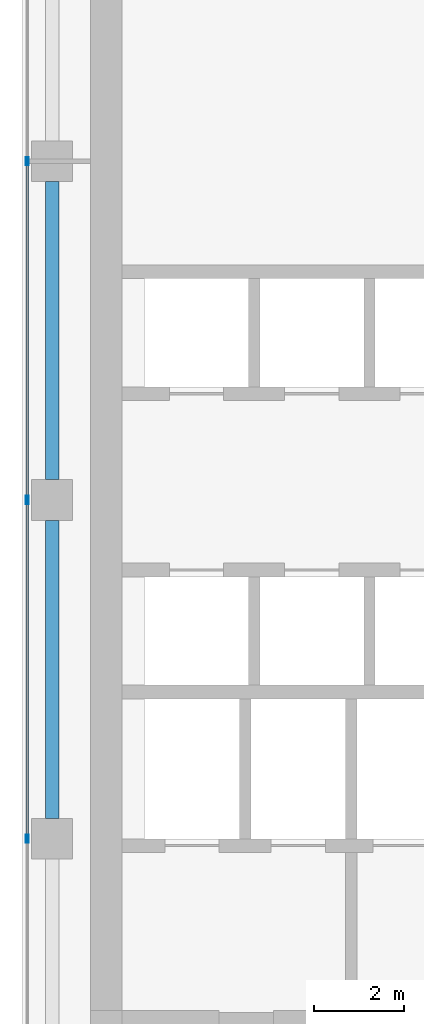
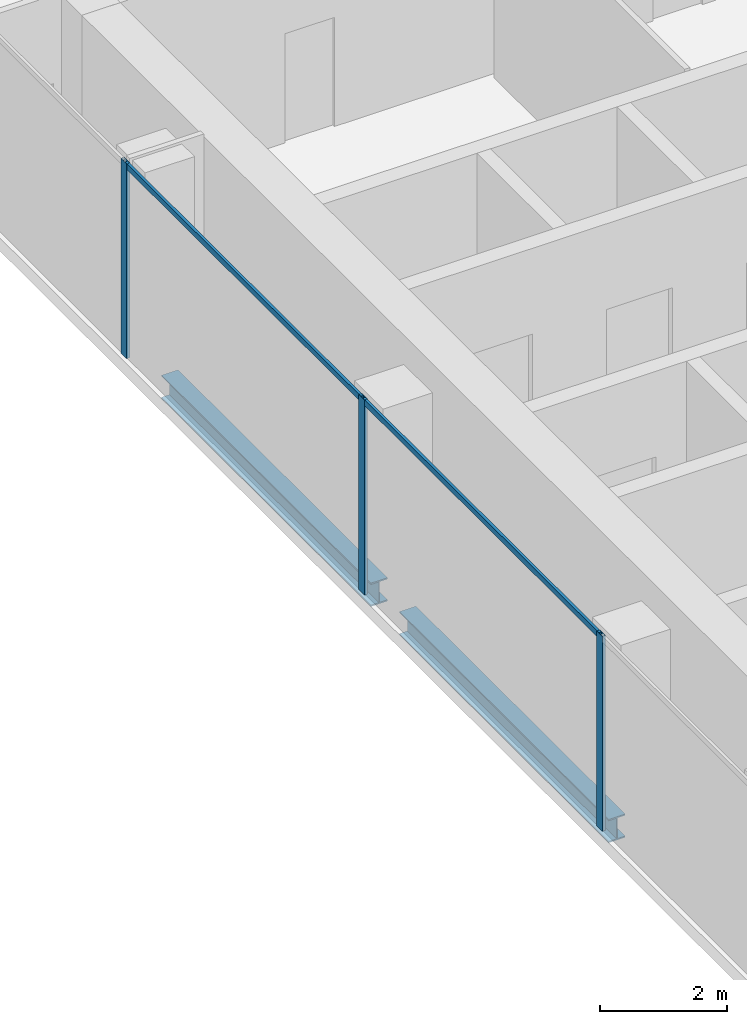
# One storey, part 7 of 34: 5 members, 2 beams, 1 element without a shape of its own.
"""IFC4 building model written with IfcOpenShell, lengths in metres."""

from ifc_helpers import new_model, si_unit, direction, frame, origin, origin_2d, place, context, subcontext, project, spatial, hollow_rectangle, i_section, extrude, source, transform, mapped, material, material_profile, profile_set, type_object, element, aggregate, save


model = new_model("IFC4")

# Units and contexts
model_context = context("Model", 3, precision=1e-05, world=origin(), true_north=direction((0.0, 1.0)))
body_context = subcontext(model_context, "Body", "Model", "MODEL_VIEW")
ifc_project = project(units=[si_unit("LENGTHUNIT", "METRE"), si_unit("AREAUNIT", "SQUARE_METRE"), si_unit("VOLUMEUNIT", "CUBIC_METRE"), si_unit("PLANEANGLEUNIT", "RADIAN"), si_unit("MASSUNIT", "GRAM", prefix="KILO")], contexts=[model_context])

# Site, building, storey
site_placement = place(None, origin())
site = spatial("IfcSite", under=ifc_project, at=site_placement, CompositionType="ELEMENT")
building_placement = place(site_placement, origin())
building = spatial("IfcBuilding", under=site, at=building_placement, Name="Khomas Fold Tower", CompositionType="ELEMENT")
storey_placement = place(building_placement, frame((0.0, 0.0, 254.199951171875)))
storey = spatial("IfcBuildingStorey", under=building, at=storey_placement, Name="L57", CompositionType="ELEMENT", Elevation=254.199951171875)

# Beams
ifc_material_1 = material(Name="Steel S355", Category="steel")
ifc_material_profile_1 = material_profile(ifc_material_1, i_section(OverallWidth=0.300048828125, OverallDepth=0.449951171875, WebThickness=0.013916015625, FlangeThickness=0.02587890625, at=origin_2d()), Name="HE 450 B")
ifc_profile_set_1 = profile_set([ifc_material_profile_1], Name="Steel S355")
beam_type = type_object("IfcBeamType", Name="HE 450 B spandrel SB4", PredefinedType="SPANDREL", material=ifc_profile_set_1)
shared_shape_1 = source(origin(), body_context, "Body", "SweptSolid", [
    extrude(i_section(OverallWidth=0.300048828125, OverallDepth=0.449951171875, WebThickness=0.013916015625, FlangeThickness=0.02587890625, at=origin_2d()), origin(), (0.0, 0.0, 1.0), 6.60009765625),
])
for number, where, z_axis, x_axis, name in (
    (1, (5.14990234375, 27.449951171875, -0.474853515625), (0.0, 1.0, 0.0), (-1.0, 0.0, 0.0), "SB4"),
    (2, (5.14990234375, 19.949951171875, -0.474853515625), (0.0, 1.0, 0.0), (-1.0, 0.0, 0.0), "SB4"),
):
    element("IfcBeam", number, at=place(storey_placement, frame(where, z_axis=z_axis, x_axis=x_axis)), inside=storey, type_object=beam_type, Name=name, PredefinedType="SPANDREL", context=body_context, shape_type="MappedRepresentation", body=[
        mapped(shared_shape_1, transform((0.0, 0.0, 0.0))),
    ])

# Curtain wall, members
ifc_material_2 = material(Name="Aluminium framed double glazing", Category="aluminium")
curtain_wall_type = type_object("IfcCurtainWallType", Name="SK-Unitised clear-glass wall, office floors CW2", PredefinedType="NOTDEFINED", material=ifc_material_2)
curtain_wall_placement = place(storey_placement, origin())
curtain_wall = element("IfcCurtainWall", 3, at=curtain_wall_placement, inside=storey, type_object=curtain_wall_type, Name="CW2 run L57 09-0", PredefinedType="NOTDEFINED")
ifc_material_3 = material(Name="Aluminium", Category="aluminium")
ifc_material_profile_2 = material_profile(ifc_material_3, hollow_rectangle(XDim=0.06005859375, YDim=0.179931640625, WallThickness=0.00390625, at=origin_2d()), Name="SK-Unitised clear-glass wall, office floors mullion CW2-M")
ifc_profile_set_2 = profile_set([ifc_material_profile_2], Name="Aluminium")
member_type_1 = type_object("IfcMemberType", Name="SK-Unitised clear-glass wall, office floors mullion CW2-M", PredefinedType="MULLION", material=ifc_profile_set_2)
shared_shape_2 = source(origin(), body_context, "Body", "SweptSolid", [
    extrude(hollow_rectangle(XDim=0.06005859375, YDim=0.179931640625, WallThickness=0.00390625, at=origin_2d()), origin(), (0.0, 0.0, 1.0), 3.75),
])
member_1_placement = place(storey_placement, frame((4.60009765625, 34.5, 0.0), z_axis=(0.0, 0.0, 1.0), x_axis=(1.0, 0.0, 0.0)))
member_1 = element("IfcMember", 4, at=member_1_placement, type_object=member_type_1, Name="CW2 mullion 3", PredefinedType="MULLION", context=body_context, shape_type="MappedRepresentation", body=[
    mapped(shared_shape_2, transform((0.0, 0.0, 0.0))),
])
member_2_placement = place(storey_placement, frame((4.60009765625, 27.0, 0.0), z_axis=(0.0, 0.0, 1.0), x_axis=(1.0, 0.0, 0.0)))
member_2 = element("IfcMember", 5, at=member_2_placement, type_object=member_type_1, Name="CW2 mullion 4", PredefinedType="MULLION", context=body_context, shape_type="MappedRepresentation", body=[
    mapped(shared_shape_2, transform((0.0, 0.0, 0.0))),
])
member_3_placement = place(storey_placement, frame((4.60009765625, 19.5, 0.0), z_axis=(0.0, 0.0, 1.0), x_axis=(1.0, 0.0, 0.0)))
member_3 = element("IfcMember", 6, at=member_3_placement, type_object=member_type_1, Name="CW2 mullion 5", PredefinedType="MULLION", context=body_context, shape_type="MappedRepresentation", body=[
    mapped(shared_shape_2, transform((0.0, 0.0, 0.0))),
])
ifc_material_4 = material(Name="Aluminium", Category="aluminium")
ifc_material_profile_3 = material_profile(ifc_material_4, hollow_rectangle(XDim=0.050048828125, YDim=0.110107421875, WallThickness=0.00390625, at=origin_2d()), Name="SK-Unitised clear-glass wall, office floors transom CW2-T")
ifc_profile_set_3 = profile_set([ifc_material_profile_3], Name="Aluminium")
member_type_2 = type_object("IfcMemberType", Name="SK-Unitised clear-glass wall, office floors transom CW2-T", PredefinedType="USERDEFINED", material=ifc_profile_set_3)
shared_shape_3 = source(origin(), body_context, "Body", "SweptSolid", [
    extrude(hollow_rectangle(XDim=0.050048828125, YDim=0.110107421875, WallThickness=0.00390625, at=origin_2d()), origin(), (0.0, 0.0, 1.0), 7.43994140625),
])
member_4_placement = place(storey_placement, frame((4.60009765625, 34.469970703125, 3.695068359375), z_axis=(0.0, -1.0, 0.0), x_axis=(1.0, 0.0, 0.0)))
member_4 = element("IfcMember", 7, at=member_4_placement, type_object=member_type_2, Name="CW2 transom 3", ObjectType="TRANSOM", PredefinedType="USERDEFINED", context=body_context, shape_type="MappedRepresentation", body=[
    mapped(shared_shape_3, transform((0.0, 0.0, 0.0))),
])
member_5_placement = place(storey_placement, frame((4.60009765625, 26.969970703125, 3.695068359375), z_axis=(0.0, -1.0, 0.0), x_axis=(1.0, 0.0, 0.0)))
member_5 = element("IfcMember", 8, at=member_5_placement, type_object=member_type_2, Name="CW2 transom 4", ObjectType="TRANSOM", PredefinedType="USERDEFINED", context=body_context, shape_type="MappedRepresentation", body=[
    mapped(shared_shape_3, transform((0.0, 0.0, 0.0))),
])
aggregate(curtain_wall, [member_1, member_2, member_3, member_4, member_5])

save(model, "model.ifc")
